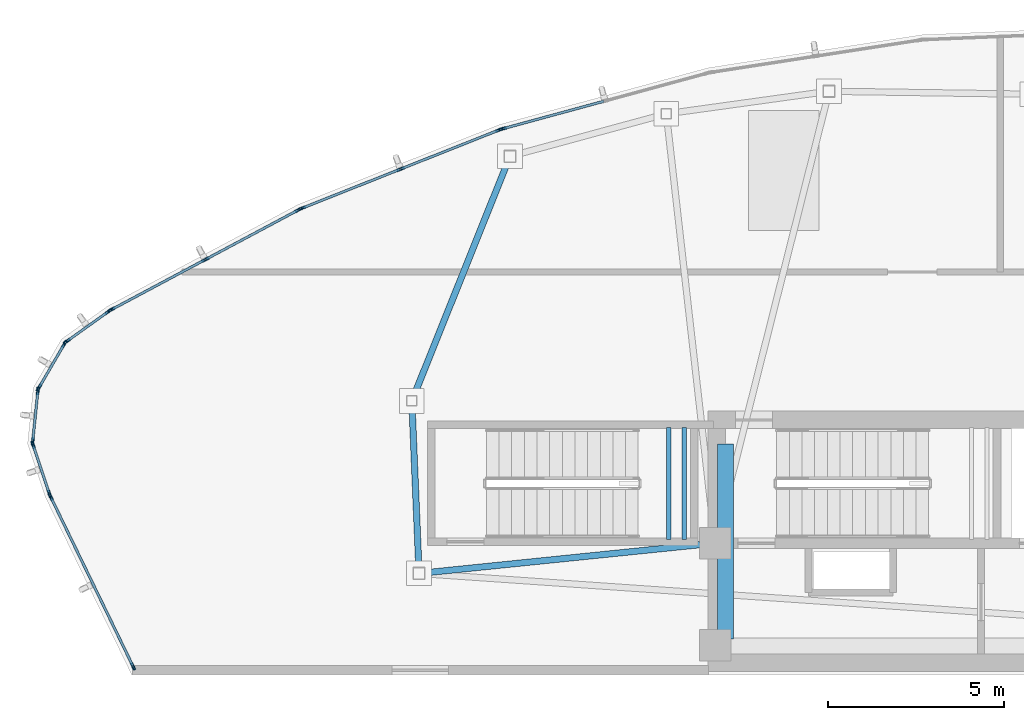
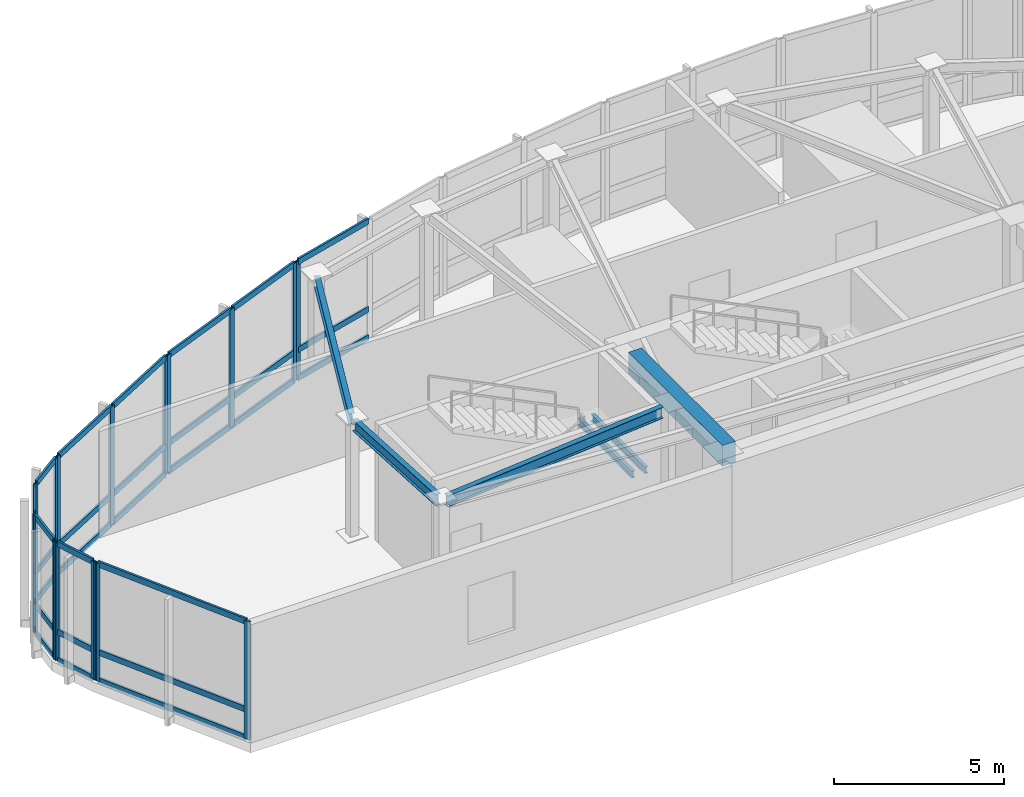
# One storey, part 2 of 10: 47 members, 6 beams, 8 elements without a shape of their own.
"""IFC4 building model written with IfcOpenShell, lengths in metres."""

from ifc_helpers import new_model, si_unit, direction, frame, origin, origin_2d, place, context, subcontext, project, spatial, rectangle, hollow_rectangle, i_section, extrude, source, transform, mapped, material, layer, layer_set, material_profile, profile_set, type_object, type_shapes, element, aggregate, save


model = new_model("IFC4")

# Units and contexts
model_context = context("Model", 3, precision=1e-05, world=origin(), true_north=direction((0.0, 1.0)))
body_context = subcontext(model_context, "Body", "Model", "MODEL_VIEW")
ifc_project = project(units=[si_unit("LENGTHUNIT", "METRE"), si_unit("AREAUNIT", "SQUARE_METRE"), si_unit("VOLUMEUNIT", "CUBIC_METRE"), si_unit("PLANEANGLEUNIT", "RADIAN"), si_unit("MASSUNIT", "GRAM", prefix="KILO")], contexts=[model_context])

# Site, building, storey
site_placement = place(None, origin())
site = spatial("IfcSite", under=ifc_project, at=site_placement, CompositionType="ELEMENT")
building_placement = place(site_placement, origin())
building = spatial("IfcBuilding", under=site, at=building_placement, Name="Tavelor Broadcast Tower", CompositionType="ELEMENT")
storey_placement = place(building_placement, frame((0.0, 0.0, 355.10009765625)))
storey = spatial("IfcBuildingStorey", under=building, at=storey_placement, Name="L84", CompositionType="ELEMENT", Elevation=355.10009765625)

# Beams
ifc_material_1 = material(Name="Concrete C40/50", Category="concrete")
ifc_material_profile_1 = material_profile(ifc_material_1, rectangle(XDim=0.449951171875, YDim=0.75, at=origin_2d()), Name="RC 450x750")
ifc_profile_set_1 = profile_set([ifc_material_profile_1], Name="Concrete C40/50")
beam_type_1 = type_object("IfcBeamType", Name="Basement Core Trim Beam 450x750", PredefinedType="BEAM", material=ifc_profile_set_1)
beam_1_placement = place(storey_placement, frame((43.39990234375, 45.23193359375, 3.875), z_axis=(0.0, 1.0, 0.0), x_axis=(-1.0, 0.0, 0.0)))
element("IfcBeam", 1, at=beam_1_placement, inside=storey, type_object=beam_type_1, Name="L84 Core West-N Tie Girder", PredefinedType="BEAM", context=body_context, shape_type="SweptSolid", body=[
    extrude(rectangle(XDim=0.449951171875, YDim=0.75, at=origin_2d()), origin(), (0.0, 0.0, 1.0), 5.5361328125),
])
ifc_material_2 = material(Name="Steel S355", Category="steel")
ifc_material_profile_2 = material_profile(ifc_material_2, i_section(OverallWidth=0.179931640625, OverallDepth=0.39990234375, WebThickness=0.008544921875, FlangeThickness=0.013427734375, at=origin_2d()), Name="IPE 400")
ifc_profile_set_2 = profile_set([ifc_material_profile_2], Name="Steel S355")
beam_type_2 = type_object("IfcBeamType", Name="Crown Ring Spandrel Beam IPE400", PredefinedType="SPANDREL", material=ifc_profile_set_2)
beam_2_placement = place(storey_placement, frame((37.20654296875, 58.77197265625, 4.0498046875), z_axis=(-0.372319972441, -0.928104432767, 0.0), x_axis=(0.928104432767, -0.372319972441, 0.0)))
element("IfcBeam", 2, at=beam_2_placement, inside=storey, type_object=beam_type_2, Name="L84 Crown Peak A Ring Spandrel 1", PredefinedType="SPANDREL", context=body_context, shape_type="SweptSolid", body=[
    extrude(i_section(OverallWidth=0.179931640625, OverallDepth=0.39990234375, WebThickness=0.008544921875, FlangeThickness=0.013427734375, at=origin_2d()), origin(), (0.0, 0.0, 1.0), 7.1552734375),
])
beam_3_placement = place(storey_placement, frame((34.49169921875, 51.836181640625, 4.0498046875), z_axis=(0.04186598698, -0.999123235209, 0.0), x_axis=(0.999123235209, 0.04186598698, 0.0)))
element("IfcBeam", 3, at=beam_3_placement, inside=storey, type_object=beam_type_2, Name="L84 Crown Peak A Ring Spandrel 2", PredefinedType="SPANDREL", context=body_context, shape_type="SweptSolid", body=[
    extrude(i_section(OverallWidth=0.179931640625, OverallDepth=0.39990234375, WebThickness=0.008544921875, FlangeThickness=0.013427734375, at=origin_2d()), origin(), (0.0, 0.0, 1.0), 4.57177734375),
])
beam_4_placement = place(storey_placement, frame((42.670166015625, 47.906005859375, 4.0498046875), z_axis=(-0.994811533422, -0.101735013494, 0.0), x_axis=(0.101735013494, -0.994811533422, 0.0)))
element("IfcBeam", 4, at=beam_4_placement, inside=storey, type_object=beam_type_2, Name="L84 Crown Peak A Radial Beam 3", PredefinedType="SPANDREL", context=body_context, shape_type="SweptSolid", body=[
    extrude(i_section(OverallWidth=0.179931640625, OverallDepth=0.39990234375, WebThickness=0.008544921875, FlangeThickness=0.013427734375, at=origin_2d()), origin(), (0.0, 0.0, 1.0), 7.842529296875),
])
ifc_material_profile_3 = material_profile(ifc_material_2, i_section(OverallWidth=0.1201171875, OverallDepth=0.239990234375, WebThickness=0.006103515625, FlangeThickness=0.009765625, at=origin_2d()), Name="IPE 240")
ifc_profile_set_3 = profile_set([ifc_material_profile_3], Name="Steel S355")
beam_type_3 = type_object("IfcBeamType", Name="Stairwell Landing Support Trimmer Beam IPE240", PredefinedType="BEAM", material=ifc_profile_set_3)
for number, where, z_axis, x_axis, name in (
    (5, (41.784912109375, 48.06005859375, 1.98486328125), (0.0, 1.0, 0.0), (-1.0, 0.0, 0.0), "L84 Stair Landing Support Beam 483"),
    (6, (42.22509765625, 48.06005859375, 1.98486328125), (0.0, 1.0, 0.0), (-1.0, 0.0, 0.0), "L84 Stair Landing Support Beam 484"),
):
    element("IfcBeam", number, at=place(storey_placement, frame(where, z_axis=z_axis, x_axis=x_axis)), inside=storey, type_object=beam_type_3, Name=name, PredefinedType="BEAM", context=body_context, shape_type="SweptSolid", body=[
        extrude(i_section(OverallWidth=0.1201171875, OverallDepth=0.239990234375, WebThickness=0.006103515625, FlangeThickness=0.009765625, at=origin_2d()), origin(), (0.0, 0.0, 1.0), 3.179931640625),
    ])

# Curtain wall, member
ifc_material_3 = material(Name="Architectural Anodized Aluminium", Category="aluminium")
ifc_layer = layer(ifc_material_3, 0.2099609375)
ifc_layer_set = layer_set([ifc_layer], Name="Architectural Anodized Aluminium")
curtain_wall_type = type_object("IfcCurtainWallType", Name="Split-Crown Beacon Curtain Wall CW06", PredefinedType="NOTDEFINED", material=ifc_layer_set)
curtain_wall_1_placement = place(storey_placement, origin())
curtain_wall_1 = element("IfcCurtainWall", 7, at=curtain_wall_1_placement, inside=storey, type_object=curtain_wall_type, Name="L84 Curtain Wall CW06 Run 999", PredefinedType="NOTDEFINED")
ifc_material_profile_4 = material_profile(ifc_material_3, hollow_rectangle(XDim=0.072021484375, YDim=0.2099609375, WallThickness=0.02197265625, at=origin_2d()), Name="RHS 72x210x22")
ifc_profile_set_4 = profile_set([ifc_material_profile_4], Name="Architectural Anodized Aluminium")
member_type_1 = type_object("IfcMemberType", Name="CW06 Extruded Aluminium Mullion 72x210", PredefinedType="MULLION", material=ifc_profile_set_4)
shared_shape_1 = source(origin(), body_context, "Body", "SweptSolid", [
    extrude(hollow_rectangle(XDim=0.072021484375, YDim=0.2099609375, WallThickness=0.02197265625, at=origin_2d()), origin(), (0.0, 0.0, 1.0), 4.25),
])
type_shapes(member_type_1, [shared_shape_1])
member_1_placement = place(storey_placement, frame((37.065673828125, 59.720703125, 0.0), z_axis=(0.0, 0.0, 1.0), x_axis=(0.262448768463, -0.964945927984, 0.0)))
member_1 = element("IfcMember", 8, at=member_1_placement, type_object=member_type_1, Name="CW06 mullion 3", PredefinedType="MULLION", context=body_context, shape_type="MappedRepresentation", body=[
    mapped(shared_shape_1, transform((0.0, 0.0, 0.0), scale=1.0)),
])

# Curtain wall, members
curtain_wall_2_placement = place(storey_placement, origin())
curtain_wall_2 = element("IfcCurtainWall", 9, at=curtain_wall_2_placement, inside=storey, type_object=curtain_wall_type, Name="L84 Curtain Wall CW06 Run 1000", PredefinedType="NOTDEFINED")
member_2_placement = place(storey_placement, frame((36.96923828125, 59.6884765625, 0.0), z_axis=(0.0, 0.0, 1.0), x_axis=(0.368902169833, -0.9294682292, 0.0)))
member_2 = element("IfcMember", 10, at=member_2_placement, type_object=member_type_1, Name="CW06 mullion 1", PredefinedType="MULLION", context=body_context, shape_type="MappedRepresentation", body=[
    mapped(shared_shape_1, transform((0.0, 0.0, 0.0), scale=1.0)),
])
member_3_placement = place(storey_placement, frame((34.16748046875, 58.576416015625, 0.0), z_axis=(0.0, 0.0, 1.0), x_axis=(0.368902169833, -0.9294682292, 0.0)))
member_3 = element("IfcMember", 11, at=member_3_placement, type_object=member_type_1, Name="CW06 mullion 2", PredefinedType="MULLION", context=body_context, shape_type="MappedRepresentation", body=[
    mapped(shared_shape_1, transform((0.0, 0.0, 0.0), scale=1.0)),
])
member_4_placement = place(storey_placement, frame((31.365966796875, 57.464599609375, 0.0), z_axis=(0.0, 0.0, 1.0), x_axis=(0.368902169833, -0.9294682292, 0.0)))
member_4 = element("IfcMember", 12, at=member_4_placement, type_object=member_type_1, Name="CW06 mullion 3", PredefinedType="MULLION", context=body_context, shape_type="MappedRepresentation", body=[
    mapped(shared_shape_1, transform((0.0, 0.0, 0.0), scale=1.0)),
])

curtain_wall_3_placement = place(storey_placement, origin())
curtain_wall_3 = element("IfcCurtainWall", 13, at=curtain_wall_3_placement, inside=storey, type_object=curtain_wall_type, Name="L84 Curtain Wall CW06 Run 1001", PredefinedType="NOTDEFINED")
member_5_placement = place(storey_placement, frame((31.273681640625, 57.421875, 0.0), z_axis=(0.0, 0.0, 1.0), x_axis=(0.470713328216, -0.882286213561, 0.0)))
member_5 = element("IfcMember", 14, at=member_5_placement, type_object=member_type_1, Name="CW06 mullion 1", PredefinedType="MULLION", context=body_context, shape_type="MappedRepresentation", body=[
    mapped(shared_shape_1, transform((0.0, 0.0, 0.0), scale=1.0)),
])
member_6_placement = place(storey_placement, frame((28.61474609375, 56.003173828125, 0.0), z_axis=(0.0, 0.0, 1.0), x_axis=(0.470713328216, -0.882286213561, 0.0)))
member_6 = element("IfcMember", 15, at=member_6_placement, type_object=member_type_1, Name="CW06 mullion 2", PredefinedType="MULLION", context=body_context, shape_type="MappedRepresentation", body=[
    mapped(shared_shape_1, transform((0.0, 0.0, 0.0), scale=1.0)),
])
member_7_placement = place(storey_placement, frame((25.9560546875, 54.584716796875, 0.0), z_axis=(0.0, 0.0, 1.0), x_axis=(0.470713328216, -0.882286213561, 0.0)))
member_7 = element("IfcMember", 16, at=member_7_placement, type_object=member_type_1, Name="CW06 mullion 3", PredefinedType="MULLION", context=body_context, shape_type="MappedRepresentation", body=[
    mapped(shared_shape_1, transform((0.0, 0.0, 0.0), scale=1.0)),
])

curtain_wall_4_placement = place(storey_placement, origin())
curtain_wall_4 = element("IfcCurtainWall", 17, at=curtain_wall_4_placement, inside=storey, type_object=curtain_wall_type, Name="L84 Curtain Wall CW06 Run 1002", PredefinedType="NOTDEFINED")
member_8_placement = place(storey_placement, frame((25.86962890625, 54.53125, 0.0), z_axis=(0.0, 0.0, 1.0), x_axis=(0.581429686474, -0.813596656634, 0.0)))
member_8 = element("IfcMember", 18, at=member_8_placement, type_object=member_type_1, Name="CW06 mullion 1", PredefinedType="MULLION", context=body_context, shape_type="MappedRepresentation", body=[
    mapped(shared_shape_1, transform((0.0, 0.0, 0.0), scale=1.0)),
])
member_9_placement = place(storey_placement, frame((24.682373046875, 53.6826171875, 0.0), z_axis=(0.0, 0.0, 1.0), x_axis=(0.581429686474, -0.813596656634, 0.0)))
member_9 = element("IfcMember", 19, at=member_9_placement, type_object=member_type_1, Name="CW06 mullion 2", PredefinedType="MULLION", context=body_context, shape_type="MappedRepresentation", body=[
    mapped(shared_shape_1, transform((0.0, 0.0, 0.0), scale=1.0)),
])

curtain_wall_5_placement = place(storey_placement, origin())
curtain_wall_5 = element("IfcCurtainWall", 20, at=curtain_wall_5_placement, inside=storey, type_object=curtain_wall_type, Name="L84 Curtain Wall CW06 Run 1003", PredefinedType="NOTDEFINED")
member_10_placement = place(storey_placement, frame((24.615234375, 53.60888671875, 0.0), z_axis=(0.0, 0.0, 1.0), x_axis=(0.864675761286, -0.502330397094, 0.0)))
member_10 = element("IfcMember", 21, at=member_10_placement, type_object=member_type_1, Name="CW06 mullion 1", PredefinedType="MULLION", context=body_context, shape_type="MappedRepresentation", body=[
    mapped(shared_shape_1, transform((0.0, 0.0, 0.0), scale=1.0)),
])
member_11_placement = place(storey_placement, frame((23.892822265625, 52.365478515625, 0.0), z_axis=(0.0, 0.0, 1.0), x_axis=(0.864675761286, -0.502330397094, 0.0)))
member_11 = element("IfcMember", 22, at=member_11_placement, type_object=member_type_1, Name="CW06 mullion 2", PredefinedType="MULLION", context=body_context, shape_type="MappedRepresentation", body=[
    mapped(shared_shape_1, transform((0.0, 0.0, 0.0), scale=1.0)),
])

curtain_wall_6_placement = place(storey_placement, origin())
curtain_wall_6 = element("IfcCurtainWall", 23, at=curtain_wall_6_placement, inside=storey, type_object=curtain_wall_type, Name="L84 Curtain Wall CW06 Run 1004", PredefinedType="NOTDEFINED")
member_12_placement = place(storey_placement, frame((23.862060546875, 52.2705078125, 0.0), z_axis=(0.0, 0.0, 1.0), x_axis=(0.994794354577, -0.101902856201, 0.0)))
member_12 = element("IfcMember", 24, at=member_12_placement, type_object=member_type_1, Name="CW06 mullion 1", PredefinedType="MULLION", context=body_context, shape_type="MappedRepresentation", body=[
    mapped(shared_shape_1, transform((0.0, 0.0, 0.0), scale=1.0)),
])
member_13_placement = place(storey_placement, frame((23.715576171875, 50.83984375, 0.0), z_axis=(0.0, 0.0, 1.0), x_axis=(0.994794354577, -0.101902856201, 0.0)))
member_13 = element("IfcMember", 25, at=member_13_placement, type_object=member_type_1, Name="CW06 mullion 2", PredefinedType="MULLION", context=body_context, shape_type="MappedRepresentation", body=[
    mapped(shared_shape_1, transform((0.0, 0.0, 0.0), scale=1.0)),
])

curtain_wall_7_placement = place(storey_placement, origin())
curtain_wall_7 = element("IfcCurtainWall", 26, at=curtain_wall_7_placement, inside=storey, type_object=curtain_wall_type, Name="L84 Curtain Wall CW06 Run 1005", PredefinedType="NOTDEFINED")
member_14_placement = place(storey_placement, frame((23.7265625, 50.74072265625, 0.0), z_axis=(0.0, 0.0, 1.0), x_axis=(0.948598363487, 0.316482455738, 0.0)))
member_14 = element("IfcMember", 27, at=member_14_placement, type_object=member_type_1, Name="CW06 mullion 1", PredefinedType="MULLION", context=body_context, shape_type="MappedRepresentation", body=[
    mapped(shared_shape_1, transform((0.0, 0.0, 0.0), scale=1.0)),
])
member_15_placement = place(storey_placement, frame((24.188232421875, 49.3564453125, 0.0), z_axis=(0.0, 0.0, 1.0), x_axis=(0.948598363487, 0.316482455738, 0.0)))
member_15 = element("IfcMember", 28, at=member_15_placement, type_object=member_type_1, Name="CW06 mullion 2", PredefinedType="MULLION", context=body_context, shape_type="MappedRepresentation", body=[
    mapped(shared_shape_1, transform((0.0, 0.0, 0.0), scale=1.0)),
])

curtain_wall_8_placement = place(storey_placement, origin())
curtain_wall_8 = element("IfcCurtainWall", 29, at=curtain_wall_8_placement, inside=storey, type_object=curtain_wall_type, Name="L84 Curtain Wall CW06 Run 1006", PredefinedType="NOTDEFINED")
member_16_placement = place(storey_placement, frame((24.226806640625, 49.26220703125, 0.0), z_axis=(0.0, 0.0, 1.0), x_axis=(0.899406579454, 0.43711303439, 0.0)))
member_16 = element("IfcMember", 30, at=member_16_placement, type_object=member_type_1, Name="CW06 mullion 1", PredefinedType="MULLION", context=body_context, shape_type="MappedRepresentation", body=[
    mapped(shared_shape_1, transform((0.0, 0.0, 0.0), scale=1.0)),
])
member_17_placement = place(storey_placement, frame((26.568359375, 44.4443359375, 0.0), z_axis=(0.0, 0.0, 1.0), x_axis=(0.899406579454, 0.43711303439, 0.0)))
member_17 = element("IfcMember", 31, at=member_17_placement, type_object=member_type_1, Name="CW06 mullion 2", PredefinedType="MULLION", context=body_context, shape_type="MappedRepresentation", body=[
    mapped(shared_shape_1, transform((0.0, 0.0, 0.0), scale=1.0)),
])

# Member
ifc_material_profile_5 = material_profile(ifc_material_3, hollow_rectangle(XDim=0.072021484375, YDim=0.2099609375, WallThickness=0.02197265625, at=origin_2d()), Name="RHS 72x210x22")
ifc_profile_set_5 = profile_set([ifc_material_profile_5], Name="Architectural Anodized Aluminium")
member_type_2 = type_object("IfcMemberType", Name="CW06 Extruded Aluminium Transom 72x210", PredefinedType="USERDEFINED", material=ifc_profile_set_5)
shared_shape_2 = source(origin(), body_context, "Body", "SweptSolid", [
    extrude(hollow_rectangle(XDim=0.072021484375, YDim=0.2099609375, WallThickness=0.02197265625, at=origin_2d()), origin(), (0.0, 0.0, 1.0), 1.38720703125),
])
member_18_placement = place(storey_placement, frame((25.84033203125, 54.51025390625, 0.035888671875), z_axis=(-0.813578860971, -0.581454587205, 0.0), x_axis=(0.581454587205, -0.813578860971, 0.0)))
member_18 = element("IfcMember", 32, at=member_18_placement, type_object=member_type_2, Name="CW06 transom 1.1", ObjectType="TRANSOM", PredefinedType="USERDEFINED", context=body_context, shape_type="MappedRepresentation", body=[
    mapped(shared_shape_2, transform((0.0, 0.0, 0.0), scale=1.0)),
])

member_19_placement = place(storey_placement, frame((25.84033203125, 54.51025390625, 1.0498046875), z_axis=(-0.813578860971, -0.581454587205, 0.0), x_axis=(0.581454587205, -0.813578860971, 0.0)))
member_19 = element("IfcMember", 33, at=member_19_placement, type_object=member_type_2, Name="CW06 transom 1.2", ObjectType="TRANSOM", PredefinedType="USERDEFINED", context=body_context, shape_type="MappedRepresentation", body=[
    mapped(shared_shape_2, transform((0.0, 0.0, 0.0), scale=1.0)),
])

member_20_placement = place(storey_placement, frame((25.84033203125, 54.51025390625, 4.2138671875), z_axis=(-0.813578860971, -0.581454587205, 0.0), x_axis=(0.581454587205, -0.813578860971, 0.0)))
member_20 = element("IfcMember", 34, at=member_20_placement, type_object=member_type_2, Name="CW06 transom 1.3", ObjectType="TRANSOM", PredefinedType="USERDEFINED", context=body_context, shape_type="MappedRepresentation", body=[
    mapped(shared_shape_2, transform((0.0, 0.0, 0.0), scale=1.0)),
])

aggregate(curtain_wall_4, [member_8, member_9, member_18, member_19, member_20])

member_21_placement = place(storey_placement, frame((23.73779296875, 50.70654296875, 0.035888671875), z_axis=(0.316597310867, -0.948560036451, 0.0), x_axis=(0.948560036451, 0.316597310867, 0.0)))
member_21 = element("IfcMember", 35, at=member_21_placement, type_object=member_type_2, Name="CW06 transom 1.1", ObjectType="TRANSOM", PredefinedType="USERDEFINED", context=body_context, shape_type="MappedRepresentation", body=[
    mapped(shared_shape_2, transform((0.0, 0.0, 0.0), scale=1.0)),
])

member_22_placement = place(storey_placement, frame((23.73779296875, 50.70654296875, 1.0498046875), z_axis=(0.316597310867, -0.948560036451, 0.0), x_axis=(0.948560036451, 0.316597310867, 0.0)))
member_22 = element("IfcMember", 36, at=member_22_placement, type_object=member_type_2, Name="CW06 transom 1.2", ObjectType="TRANSOM", PredefinedType="USERDEFINED", context=body_context, shape_type="MappedRepresentation", body=[
    mapped(shared_shape_2, transform((0.0, 0.0, 0.0), scale=1.0)),
])

member_23_placement = place(storey_placement, frame((23.73779296875, 50.70654296875, 4.2138671875), z_axis=(0.316597310867, -0.948560036451, 0.0), x_axis=(0.948560036451, 0.316597310867, 0.0)))
member_23 = element("IfcMember", 37, at=member_23_placement, type_object=member_type_2, Name="CW06 transom 1.3", ObjectType="TRANSOM", PredefinedType="USERDEFINED", context=body_context, shape_type="MappedRepresentation", body=[
    mapped(shared_shape_2, transform((0.0, 0.0, 0.0), scale=1.0)),
])

aggregate(curtain_wall_7, [member_14, member_15, member_21, member_22, member_23])

shared_shape_3 = source(origin(), body_context, "Body", "SweptSolid", [
    extrude(hollow_rectangle(XDim=0.072021484375, YDim=0.2099609375, WallThickness=0.02197265625, at=origin_2d()), origin(), (0.0, 0.0, 1.0), 1.3662109375),
])
member_24_placement = place(storey_placement, frame((24.59716796875, 53.577880859375, 0.035888671875), z_axis=(-0.502303631484, -0.864691310121, 0.0), x_axis=(0.864691310121, -0.502303631484, 0.0)))
member_24 = element("IfcMember", 38, at=member_24_placement, type_object=member_type_2, Name="CW06 transom 1.1", ObjectType="TRANSOM", PredefinedType="USERDEFINED", context=body_context, shape_type="MappedRepresentation", body=[
    mapped(shared_shape_3, transform((0.0, 0.0, 0.0), scale=1.0)),
])

member_25_placement = place(storey_placement, frame((24.59716796875, 53.577880859375, 1.0498046875), z_axis=(-0.502303631484, -0.864691310121, 0.0), x_axis=(0.864691310121, -0.502303631484, 0.0)))
member_25 = element("IfcMember", 39, at=member_25_placement, type_object=member_type_2, Name="CW06 transom 1.2", ObjectType="TRANSOM", PredefinedType="USERDEFINED", context=body_context, shape_type="MappedRepresentation", body=[
    mapped(shared_shape_3, transform((0.0, 0.0, 0.0), scale=1.0)),
])

member_26_placement = place(storey_placement, frame((24.59716796875, 53.577880859375, 4.2138671875), z_axis=(-0.502303631484, -0.864691310121, 0.0), x_axis=(0.864691310121, -0.502303631484, 0.0)))
member_26 = element("IfcMember", 40, at=member_26_placement, type_object=member_type_2, Name="CW06 transom 1.3", ObjectType="TRANSOM", PredefinedType="USERDEFINED", context=body_context, shape_type="MappedRepresentation", body=[
    mapped(shared_shape_3, transform((0.0, 0.0, 0.0), scale=1.0)),
])

aggregate(curtain_wall_5, [member_10, member_11, member_24, member_25, member_26])

member_27_placement = place(storey_placement, frame((23.8583984375, 52.23486328125, 0.035888671875), z_axis=(-0.101856562691, -0.994799095615, 0.0), x_axis=(0.994799095615, -0.101856562691, 0.0)))
member_27 = element("IfcMember", 41, at=member_27_placement, type_object=member_type_2, Name="CW06 transom 1.1", ObjectType="TRANSOM", PredefinedType="USERDEFINED", context=body_context, shape_type="MappedRepresentation", body=[
    mapped(shared_shape_3, transform((0.0, 0.0, 0.0), scale=1.0)),
])

member_28_placement = place(storey_placement, frame((23.8583984375, 52.23486328125, 1.0498046875), z_axis=(-0.101856562691, -0.994799095615, 0.0), x_axis=(0.994799095615, -0.101856562691, 0.0)))
member_28 = element("IfcMember", 42, at=member_28_placement, type_object=member_type_2, Name="CW06 transom 1.2", ObjectType="TRANSOM", PredefinedType="USERDEFINED", context=body_context, shape_type="MappedRepresentation", body=[
    mapped(shared_shape_3, transform((0.0, 0.0, 0.0), scale=1.0)),
])

member_29_placement = place(storey_placement, frame((23.8583984375, 52.23486328125, 4.2138671875), z_axis=(-0.101856562691, -0.994799095615, 0.0), x_axis=(0.994799095615, -0.101856562691, 0.0)))
member_29 = element("IfcMember", 43, at=member_29_placement, type_object=member_type_2, Name="CW06 transom 1.3", ObjectType="TRANSOM", PredefinedType="USERDEFINED", context=body_context, shape_type="MappedRepresentation", body=[
    mapped(shared_shape_3, transform((0.0, 0.0, 0.0), scale=1.0)),
])

aggregate(curtain_wall_6, [member_12, member_13, member_27, member_28, member_29])

shared_shape_4 = source(origin(), body_context, "Body", "SweptSolid", [
    extrude(hollow_rectangle(XDim=0.072021484375, YDim=0.2099609375, WallThickness=0.02197265625, at=origin_2d()), origin(), (0.0, 0.0, 1.0), 2.94140625),
])
member_30_placement = place(storey_placement, frame((31.241943359375, 57.40478515625, 0.035888671875), z_axis=(-0.882295494799, -0.470695931421, 0.0), x_axis=(0.470695931421, -0.882295494799, 0.0)))
member_30 = element("IfcMember", 44, at=member_30_placement, type_object=member_type_2, Name="CW06 transom 1.1", ObjectType="TRANSOM", PredefinedType="USERDEFINED", context=body_context, shape_type="MappedRepresentation", body=[
    mapped(shared_shape_4, transform((0.0, 0.0, 0.0), scale=1.0)),
])

member_31_placement = place(storey_placement, frame((31.241943359375, 57.40478515625, 1.0498046875), z_axis=(-0.882295494799, -0.470695931421, 0.0), x_axis=(0.470695931421, -0.882295494799, 0.0)))
member_31 = element("IfcMember", 45, at=member_31_placement, type_object=member_type_2, Name="CW06 transom 1.2", ObjectType="TRANSOM", PredefinedType="USERDEFINED", context=body_context, shape_type="MappedRepresentation", body=[
    mapped(shared_shape_4, transform((0.0, 0.0, 0.0), scale=1.0)),
])

member_32_placement = place(storey_placement, frame((31.241943359375, 57.40478515625, 4.2138671875), z_axis=(-0.882295494799, -0.470695931421, 0.0), x_axis=(0.470695931421, -0.882295494799, 0.0)))
member_32 = element("IfcMember", 46, at=member_32_placement, type_object=member_type_2, Name="CW06 transom 1.3", ObjectType="TRANSOM", PredefinedType="USERDEFINED", context=body_context, shape_type="MappedRepresentation", body=[
    mapped(shared_shape_4, transform((0.0, 0.0, 0.0), scale=1.0)),
])

member_33_placement = place(storey_placement, frame((28.5830078125, 55.986328125, 0.035888671875), z_axis=(-0.882295494799, -0.470695931421, 0.0), x_axis=(0.470695931421, -0.882295494799, 0.0)))
member_33 = element("IfcMember", 47, at=member_33_placement, type_object=member_type_2, Name="CW06 transom 2.1", ObjectType="TRANSOM", PredefinedType="USERDEFINED", context=body_context, shape_type="MappedRepresentation", body=[
    mapped(shared_shape_4, transform((0.0, 0.0, 0.0), scale=1.0)),
])

member_34_placement = place(storey_placement, frame((28.5830078125, 55.986328125, 1.0498046875), z_axis=(-0.882295494799, -0.470695931421, 0.0), x_axis=(0.470695931421, -0.882295494799, 0.0)))
member_34 = element("IfcMember", 48, at=member_34_placement, type_object=member_type_2, Name="CW06 transom 2.2", ObjectType="TRANSOM", PredefinedType="USERDEFINED", context=body_context, shape_type="MappedRepresentation", body=[
    mapped(shared_shape_4, transform((0.0, 0.0, 0.0), scale=1.0)),
])

member_35_placement = place(storey_placement, frame((28.5830078125, 55.986328125, 4.2138671875), z_axis=(-0.882295494799, -0.470695931421, 0.0), x_axis=(0.470695931421, -0.882295494799, 0.0)))
member_35 = element("IfcMember", 49, at=member_35_placement, type_object=member_type_2, Name="CW06 transom 2.3", ObjectType="TRANSOM", PredefinedType="USERDEFINED", context=body_context, shape_type="MappedRepresentation", body=[
    mapped(shared_shape_4, transform((0.0, 0.0, 0.0), scale=1.0)),
])

aggregate(curtain_wall_3, [member_5, member_6, member_7, member_30, member_31, member_32, member_33, member_34, member_35])

shared_shape_5 = source(origin(), body_context, "Body", "SweptSolid", [
    extrude(hollow_rectangle(XDim=0.072021484375, YDim=0.2099609375, WallThickness=0.02197265625, at=origin_2d()), origin(), (0.0, 0.0, 1.0), 2.942138671875),
])
member_36_placement = place(storey_placement, frame((39.939453125, 60.502197265625, 0.035888671875), z_axis=(-0.964937876022, -0.262478371333, 0.0), x_axis=(0.262478371333, -0.964937876022, 0.0)))
member_36 = element("IfcMember", 50, at=member_36_placement, type_object=member_type_2, Name="CW06 transom 2.1", ObjectType="TRANSOM", PredefinedType="USERDEFINED", context=body_context, shape_type="MappedRepresentation", body=[
    mapped(shared_shape_5, transform((0.0, 0.0, 0.0), scale=1.0)),
])

member_37_placement = place(storey_placement, frame((39.939453125, 60.502197265625, 1.0498046875), z_axis=(-0.964937876022, -0.262478371333, 0.0), x_axis=(0.262478371333, -0.964937876022, 0.0)))
member_37 = element("IfcMember", 51, at=member_37_placement, type_object=member_type_2, Name="CW06 transom 2.2", ObjectType="TRANSOM", PredefinedType="USERDEFINED", context=body_context, shape_type="MappedRepresentation", body=[
    mapped(shared_shape_5, transform((0.0, 0.0, 0.0), scale=1.0)),
])

member_38_placement = place(storey_placement, frame((39.939453125, 60.502197265625, 4.2138671875), z_axis=(-0.964937876022, -0.262478371333, 0.0), x_axis=(0.262478371333, -0.964937876022, 0.0)))
member_38 = element("IfcMember", 52, at=member_38_placement, type_object=member_type_2, Name="CW06 transom 2.3", ObjectType="TRANSOM", PredefinedType="USERDEFINED", context=body_context, shape_type="MappedRepresentation", body=[
    mapped(shared_shape_5, transform((0.0, 0.0, 0.0), scale=1.0)),
])

aggregate(curtain_wall_1, [member_1, member_36, member_37, member_38])

member_39_placement = place(storey_placement, frame((36.935791015625, 59.675048828125, 0.035888671875), z_axis=(-0.929486195295, -0.368856900106, 0.0), x_axis=(0.368856900106, -0.929486195295, 0.0)))
member_39 = element("IfcMember", 53, at=member_39_placement, type_object=member_type_2, Name="CW06 transom 1.1", ObjectType="TRANSOM", PredefinedType="USERDEFINED", context=body_context, shape_type="MappedRepresentation", body=[
    mapped(shared_shape_5, transform((0.0, 0.0, 0.0), scale=1.0)),
])

member_40_placement = place(storey_placement, frame((36.935791015625, 59.675048828125, 1.0498046875), z_axis=(-0.929486195295, -0.368856900106, 0.0), x_axis=(0.368856900106, -0.929486195295, 0.0)))
member_40 = element("IfcMember", 54, at=member_40_placement, type_object=member_type_2, Name="CW06 transom 1.2", ObjectType="TRANSOM", PredefinedType="USERDEFINED", context=body_context, shape_type="MappedRepresentation", body=[
    mapped(shared_shape_5, transform((0.0, 0.0, 0.0), scale=1.0)),
])

member_41_placement = place(storey_placement, frame((36.935791015625, 59.675048828125, 4.2138671875), z_axis=(-0.929486195295, -0.368856900106, 0.0), x_axis=(0.368856900106, -0.929486195295, 0.0)))
member_41 = element("IfcMember", 55, at=member_41_placement, type_object=member_type_2, Name="CW06 transom 1.3", ObjectType="TRANSOM", PredefinedType="USERDEFINED", context=body_context, shape_type="MappedRepresentation", body=[
    mapped(shared_shape_5, transform((0.0, 0.0, 0.0), scale=1.0)),
])

member_42_placement = place(storey_placement, frame((34.134033203125, 58.563232421875, 0.035888671875), z_axis=(-0.929457743091, -0.368928589035, 0.0), x_axis=(0.368928589035, -0.929457743091, 0.0)))
member_42 = element("IfcMember", 56, at=member_42_placement, type_object=member_type_2, Name="CW06 transom 2.1", ObjectType="TRANSOM", PredefinedType="USERDEFINED", context=body_context, shape_type="MappedRepresentation", body=[
    mapped(shared_shape_5, transform((0.0, 0.0, 0.0), scale=1.0)),
])

member_43_placement = place(storey_placement, frame((34.134033203125, 58.563232421875, 1.0498046875), z_axis=(-0.929457743091, -0.368928589035, 0.0), x_axis=(0.368928589035, -0.929457743091, 0.0)))
member_43 = element("IfcMember", 57, at=member_43_placement, type_object=member_type_2, Name="CW06 transom 2.2", ObjectType="TRANSOM", PredefinedType="USERDEFINED", context=body_context, shape_type="MappedRepresentation", body=[
    mapped(shared_shape_5, transform((0.0, 0.0, 0.0), scale=1.0)),
])

member_44_placement = place(storey_placement, frame((34.134033203125, 58.563232421875, 4.2138671875), z_axis=(-0.929457743091, -0.368928589035, 0.0), x_axis=(0.368928589035, -0.929457743091, 0.0)))
member_44 = element("IfcMember", 58, at=member_44_placement, type_object=member_type_2, Name="CW06 transom 2.3", ObjectType="TRANSOM", PredefinedType="USERDEFINED", context=body_context, shape_type="MappedRepresentation", body=[
    mapped(shared_shape_5, transform((0.0, 0.0, 0.0), scale=1.0)),
])

aggregate(curtain_wall_2, [member_2, member_3, member_4, member_39, member_40, member_41, member_42, member_43, member_44])

shared_shape_6 = source(origin(), body_context, "Body", "SweptSolid", [
    extrude(hollow_rectangle(XDim=0.072021484375, YDim=0.2099609375, WallThickness=0.02197265625, at=origin_2d()), origin(), (0.0, 0.0, 1.0), 5.284912109375),
])
type_shapes(member_type_2, [shared_shape_2, shared_shape_3, shared_shape_4, shared_shape_5, shared_shape_6])
member_45_placement = place(storey_placement, frame((24.242431640625, 49.22998046875, 0.035888671875), z_axis=(0.437114338563, -0.899405945623, 0.0), x_axis=(0.899405945623, 0.437114338563, 0.0)))
member_45 = element("IfcMember", 59, at=member_45_placement, type_object=member_type_2, Name="CW06 transom 1.1", ObjectType="TRANSOM", PredefinedType="USERDEFINED", context=body_context, shape_type="MappedRepresentation", body=[
    mapped(shared_shape_6, transform((0.0, 0.0, 0.0), scale=1.0)),
])

member_46_placement = place(storey_placement, frame((24.242431640625, 49.22998046875, 1.0498046875), z_axis=(0.437114338563, -0.899405945623, 0.0), x_axis=(0.899405945623, 0.437114338563, 0.0)))
member_46 = element("IfcMember", 60, at=member_46_placement, type_object=member_type_2, Name="CW06 transom 1.2", ObjectType="TRANSOM", PredefinedType="USERDEFINED", context=body_context, shape_type="MappedRepresentation", body=[
    mapped(shared_shape_6, transform((0.0, 0.0, 0.0), scale=1.0)),
])

member_47_placement = place(storey_placement, frame((24.242431640625, 49.22998046875, 4.2138671875), z_axis=(0.437114338563, -0.899405945623, 0.0), x_axis=(0.899405945623, 0.437114338563, 0.0)))
member_47 = element("IfcMember", 61, at=member_47_placement, type_object=member_type_2, Name="CW06 transom 1.3", ObjectType="TRANSOM", PredefinedType="USERDEFINED", context=body_context, shape_type="MappedRepresentation", body=[
    mapped(shared_shape_6, transform((0.0, 0.0, 0.0), scale=1.0)),
])

aggregate(curtain_wall_8, [member_16, member_17, member_45, member_46, member_47])

save(model, "model.ifc")
